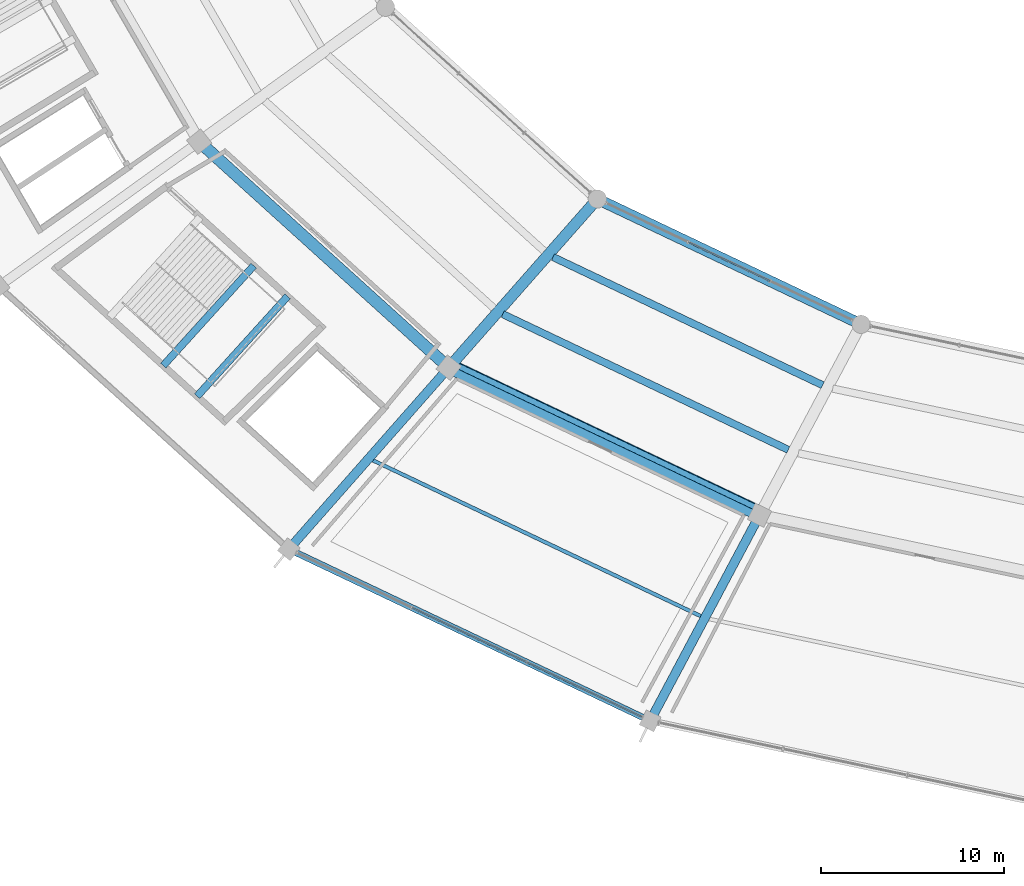
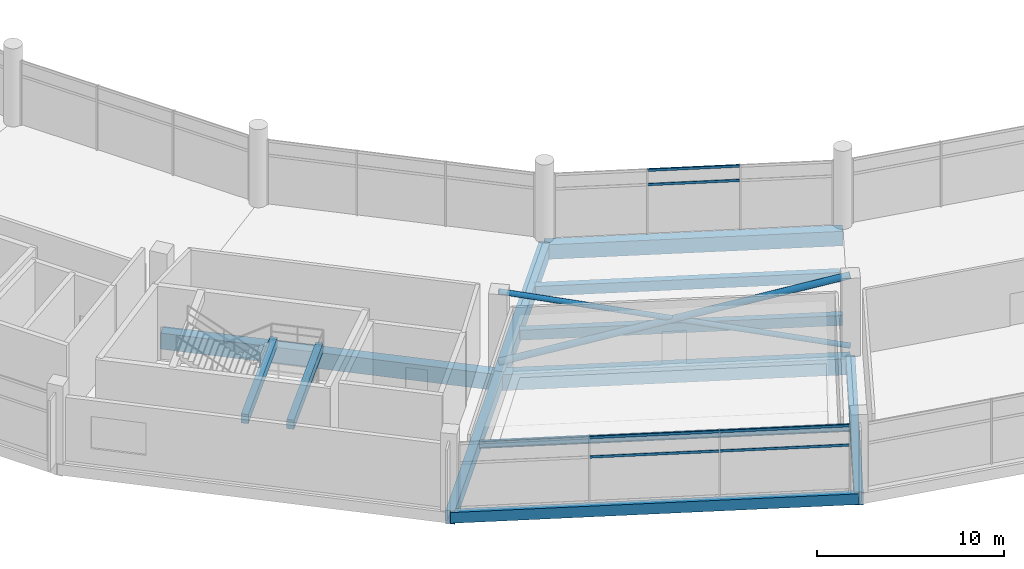
# One storey, part 5 of 184: 12 beams, 8 members, 2 elements without a shape of their own.
"""IFC4 building model written with IfcOpenShell, lengths in metres."""

from ifc_helpers import new_model, si_unit, direction, frame, origin, origin_2d, place, context, subcontext, project, spatial, rectangle, hollow_rectangle, hollow_circle, i_section, extrude, material, layer, layer_set, material_profile, profile_set, type_object, element, aggregate, save


model = new_model("IFC4")

# Units and contexts
model_context = context("Model", 3, precision=1e-05, world=origin(), true_north=direction((0.0, 1.0)))
body_context = subcontext(model_context, "Body", "Model", "MODEL_VIEW")
ifc_project = project(units=[si_unit("LENGTHUNIT", "METRE"), si_unit("AREAUNIT", "SQUARE_METRE"), si_unit("VOLUMEUNIT", "CUBIC_METRE"), si_unit("PLANEANGLEUNIT", "RADIAN"), si_unit("MASSUNIT", "GRAM", prefix="KILO")], contexts=[model_context])

# Site, building, storey
site_placement = place(None, origin())
site = spatial("IfcSite", under=ifc_project, at=site_placement, CompositionType="ELEMENT")
building_placement = place(site_placement, origin())
building = spatial("IfcBuilding", under=site, at=building_placement, Name="Kazemori Nagisa Stadium", CompositionType="ELEMENT")
storey_placement = place(building_placement, frame((0.0, 0.0, 10.5400390625)))
storey = spatial("IfcBuildingStorey", under=building, at=storey_placement, Name="L02", CompositionType="ELEMENT", Elevation=10.5400390625)

# Beams
ifc_material_1 = material(Name="Concrete C40/50 (Fc42)", Category="concrete")
ifc_material_profile_1 = material_profile(ifc_material_1, rectangle(XDim=0.39990234375, YDim=0.60009765625, at=origin_2d()), Name="RC-BM-400x600")
ifc_profile_set_1 = profile_set([ifc_material_profile_1], Name="Concrete C40/50 (Fc42)")
beam_type_1 = type_object("IfcBeamType", Name="Beam_BG-LND400X600", PredefinedType="BEAM", material=ifc_profile_set_1)
beam_1_placement = place(storey_placement, frame((58.481201171875, 46.47412109375, 2.050048828125), z_axis=(-0.67111151489, -0.741356415351, 0.0), x_axis=(0.741356415351, -0.67111151489, 0.0)))
element("IfcBeam", 1, at=beam_1_placement, inside=storey, type_object=beam_type_1, Name="Core stair mid-landing girder ST03-L02-1", PredefinedType="BEAM", context=body_context, shape_type="SweptSolid", body=[
    extrude(rectangle(XDim=0.39990234375, YDim=0.60009765625, at=origin_2d()), origin(), (0.0, 0.0, 1.0), 7.385498046875),
])
beam_2_placement = place(storey_placement, frame((60.334716796875, 44.79638671875, 2.050048828125), z_axis=(-0.671113236271, -0.74135485707, 0.0), x_axis=(0.74135485707, -0.671113236271, 0.0)))
element("IfcBeam", 2, at=beam_2_placement, inside=storey, type_object=beam_type_1, Name="Core stair mid-landing girder ST03-L02-2", PredefinedType="BEAM", context=body_context, shape_type="SweptSolid", body=[
    extrude(rectangle(XDim=0.39990234375, YDim=0.60009765625, at=origin_2d()), origin(), (0.0, 0.0, 1.0), 7.385986328125),
])
ifc_material_profile_2 = material_profile(ifc_material_1, rectangle(XDim=0.5, YDim=0.85009765625, at=origin_2d()), Name="RC-BM-500x850")
ifc_profile_set_2 = profile_set([ifc_material_profile_2], Name="Concrete C40/50 (Fc42)")
beam_type_2 = type_object("IfcBeamType", Name="Beam_BG-RC500X850", PredefinedType="BEAM", material=ifc_profile_set_2)
beam_3_placement = place(storey_placement, frame((69.165771484375, 40.88916015625, -0.68505859375), z_axis=(-0.661019680997, -0.750368563664, 0.0), x_axis=(0.750368563664, -0.661019680997, 0.0)))
element("IfcBeam", 3, at=beam_3_placement, inside=storey, type_object=beam_type_2, Name="Radial girder BG-RC500X850 L02 R2-R3-19", PredefinedType="BEAM", context=body_context, shape_type="SweptSolid", body=[
    extrude(rectangle(XDim=0.5, YDim=0.85009765625, at=origin_2d()), origin(), (0.0, 0.0, 1.0), 13.2578125),
])
beam_4_placement = place(storey_placement, frame((86.18798828125, 32.80078125, -0.68505859375), z_axis=(-0.469648511848, -0.882853484628, 0.0), x_axis=(0.882853484628, -0.469648511848, 0.0)))
element("IfcBeam", 4, at=beam_4_placement, inside=storey, type_object=beam_type_2, Name="Radial girder BG-RC500X850 L02 R2-R3-20", PredefinedType="BEAM", context=body_context, shape_type="SweptSolid", body=[
    extrude(rectangle(XDim=0.5, YDim=0.85009765625, at=origin_2d()), origin(), (0.0, 0.0, 1.0), 12.760009765625),
])
ifc_material_profile_3 = material_profile(ifc_material_1, rectangle(XDim=0.60009765625, YDim=0.949951171875, at=origin_2d()), Name="RC-BM-600x950")
ifc_profile_set_3 = profile_set([ifc_material_profile_3], Name="Concrete C40/50 (Fc42)")
beam_type_3 = type_object("IfcBeamType", Name="Beam_BG-RC600X950", PredefinedType="BEAM", material=ifc_profile_set_3)
beam_5_placement = place(storey_placement, frame((77.303466796875, 50.126953125, -0.735107421875), z_axis=(0.903211989129, -0.429194714196, 0.0), x_axis=(0.429194714196, 0.903211989129, 0.0)))
element("IfcBeam", 5, at=beam_5_placement, inside=storey, type_object=beam_type_3, Name="Ring girder BG-RC600X950 L02 R1-19", PredefinedType="BEAM", context=body_context, shape_type="SweptSolid", body=[
    extrude(rectangle(XDim=0.60009765625, YDim=0.949951171875, at=origin_2d()), origin(), (0.0, 0.0, 1.0), 15.997314453125),
])
beam_6_placement = place(storey_placement, frame((77.303466796875, 50.126953125, -0.735107421875), z_axis=(-0.66101406015, -0.75037351518, 0.0), x_axis=(0.75037351518, -0.66101406015, 0.0)))
element("IfcBeam", 6, at=beam_6_placement, inside=storey, type_object=beam_type_3, Name="Radial girder BG-RC600X950 L02 R1-R2-19", PredefinedType="BEAM", context=body_context, shape_type="SweptSolid", body=[
    extrude(rectangle(XDim=0.60009765625, YDim=0.949951171875, at=origin_2d()), origin(), (0.0, 0.0, 1.0), 12.31103515625),
])
ifc_material_profile_4 = material_profile(ifc_material_1, rectangle(XDim=0.64990234375, YDim=1.050048828125, at=origin_2d()), Name="RC-BM-650x1050")
ifc_profile_set_4 = profile_set([ifc_material_profile_4], Name="Concrete C40/50 (Fc42)")
beam_type_4 = type_object("IfcBeamType", Name="Beam_BG-RC650X1050", PredefinedType="BEAM", material=ifc_profile_set_4)
beam_7_placement = place(storey_placement, frame((55.493896484375, 53.265869140625, -0.78515625), z_axis=(0.741349142139, -0.671119549298, 0.0), x_axis=(0.671119549298, 0.741349142139, 0.0)))
element("IfcBeam", 7, at=beam_7_placement, inside=storey, type_object=beam_type_4, Name="Ring girder BG-RC650X1050 L02 R2-18", PredefinedType="BEAM", context=body_context, shape_type="SweptSolid", body=[
    extrude(rectangle(XDim=0.64990234375, YDim=1.050048828125, at=origin_2d()), origin(), (0.0, 0.0, 1.0), 18.44189453125),
])
beam_8_placement = place(storey_placement, frame((69.165771484375, 40.88916015625, -0.78515625), z_axis=(0.90321938295, -0.42917915404, 0.0), x_axis=(0.42917915404, 0.90321938295, 0.0)))
element("IfcBeam", 8, at=beam_8_placement, inside=storey, type_object=beam_type_4, Name="Ring girder BG-RC650X1050 L02 R2-19", PredefinedType="BEAM", context=body_context, shape_type="SweptSolid", body=[
    extrude(rectangle(XDim=0.64990234375, YDim=1.050048828125, at=origin_2d()), origin(), (0.0, 0.0, 1.0), 18.84619140625),
])
ifc_material_2 = material(Name="Steel SN490B", Category="steel")
ifc_material_profile_5 = material_profile(ifc_material_2, i_section(OverallWidth=0.199951171875, OverallDepth=0.449951171875, WebThickness=0.009033203125, FlangeThickness=0.013916015625, FilletRadius=0.012939453125, at=origin_2d()), Name="H-450x200x9x14")
ifc_profile_set_5 = profile_set([ifc_material_profile_5], Name="Steel SN490B")
beam_type_5 = type_object("IfcBeamType", Name="Beam_BJ-H450", PredefinedType="JOIST", material=ifc_profile_set_5)
beam_9_placement = place(storey_placement, frame((65.005126953125, 35.81005859375, -0.485107421875), z_axis=(0.903215058486, -0.429188254876, 0.0), x_axis=(0.429188254876, 0.903215058486, 0.0)))
element("IfcBeam", 9, at=beam_9_placement, inside=storey, type_object=beam_type_5, Name="Outer bay joist BJ-H450 L02 B19", PredefinedType="JOIST", context=body_context, shape_type="SweptSolid", body=[
    extrude(i_section(OverallWidth=0.199951171875, OverallDepth=0.449951171875, WebThickness=0.009033203125, FlangeThickness=0.013916015625, FilletRadius=0.012939453125, at=origin_2d()), origin(), (0.0, 0.0, 1.0), 19.89013671875),
])
ifc_material_profile_6 = material_profile(ifc_material_1, rectangle(XDim=0.39990234375, YDim=0.64990234375, at=origin_2d()), Name="RC-BM-400x650")
ifc_profile_set_6 = profile_set([ifc_material_profile_6], Name="Concrete C40/50 (Fc42)")
beam_type_6 = type_object("IfcBeamType", Name="Beam_BJ-RC400X650", PredefinedType="JOIST", material=ifc_profile_set_6)
beam_10_placement = place(storey_placement, frame((74.878173828125, 46.94482421875, -0.5849609375), z_axis=(0.903215717065, -0.429186868912, 0.0), x_axis=(0.429186868912, 0.903215717065, 0.0)))
element("IfcBeam", 10, at=beam_10_placement, inside=storey, type_object=beam_type_6, Name="Concourse joist BJ-RC400X650 L02 B19-1", PredefinedType="JOIST", context=body_context, shape_type="SweptSolid", body=[
    extrude(rectangle(XDim=0.39990234375, YDim=0.64990234375, at=origin_2d()), origin(), (0.0, 0.0, 1.0), 16.349609375),
])
beam_11_placement = place(storey_placement, frame((72.1240234375, 43.818115234375, -0.5849609375), z_axis=(0.903215468459, -0.429187392099, 0.0), x_axis=(0.429187392099, 0.903215468459, 0.0)))
element("IfcBeam", 11, at=beam_11_placement, inside=storey, type_object=beam_type_6, Name="Concourse joist BJ-RC400X650 L02 B19-2", PredefinedType="JOIST", context=body_context, shape_type="SweptSolid", body=[
    extrude(rectangle(XDim=0.39990234375, YDim=0.64990234375, at=origin_2d()), origin(), (0.0, 0.0, 1.0), 17.31396484375),
])
ifc_material_profile_7 = material_profile(ifc_material_1, rectangle(XDim=0.35009765625, YDim=0.699951171875, at=origin_2d()), Name="RC-SP-350x700")
ifc_profile_set_7 = profile_set([ifc_material_profile_7], Name="Concrete C40/50 (Fc42)")
beam_type_7 = type_object("IfcBeamType", Name="Beam_BS-RC350X700", PredefinedType="SPANDREL", material=ifc_profile_set_7)
beam_12_placement = place(storey_placement, frame((60.402099609375, 30.94091796875, -0.610107421875), z_axis=(0.903215644095, -0.429187022475, 0.0), x_axis=(0.429187022475, 0.903215644095, 0.0)))
element("IfcBeam", 12, at=beam_12_placement, inside=storey, type_object=beam_type_7, Name="Ring girder BS-RC350X700 L02 R3-19", PredefinedType="SPANDREL", context=body_context, shape_type="SweptSolid", body=[
    extrude(rectangle(XDim=0.35009765625, YDim=0.699951171875, at=origin_2d()), origin(), (0.0, 0.0, 1.0), 21.9140625),
])

# Members
ifc_material_3 = material(Name="Steel STK490", Category="steel")
ifc_material_profile_8 = material_profile(ifc_material_3, hollow_circle(Radius=0.1591796875, WallThickness=0.01025390625, at=origin_2d()), Name="CHS-318.5x10.3")
ifc_profile_set_8 = profile_set([ifc_material_profile_8], Name="Steel STK490")
member_type_1 = type_object("IfcMemberType", Name="Member_TB-CHS318", PredefinedType="BRACE", material=ifc_profile_set_8)
member_1_placement = place(storey_placement, frame((86.316650390625, 33.07177734375, 0.14990234375), z_axis=(-0.877458759714, 0.416938581377, 0.237125166022), x_axis=(-0.42917915404, -0.90321938295, 0.0)))
element("IfcMember", 13, at=member_1_placement, inside=storey, type_object=member_type_1, Name="Seismic brace TB-CHS318 L02 B19-B", PredefinedType="BRACE", context=body_context, shape_type="SweptSolid", body=[
    extrude(hollow_circle(Radius=0.1591796875, WallThickness=0.01025390625, at=origin_2d()), origin(), (0.0, 0.0, 1.0), 19.3994140625),
])
ifc_material_profile_9 = material_profile(ifc_material_3, hollow_circle(Radius=0.203125, WallThickness=0.014404296875, at=origin_2d()), Name="CHS-406.4x14.3")
ifc_profile_set_9 = profile_set([ifc_material_profile_9], Name="Steel STK490")
member_type_2 = type_object("IfcMemberType", Name="Member_TB-CHS406", PredefinedType="BRACE", material=ifc_profile_set_9)
member_2_placement = place(storey_placement, frame((69.29443359375, 41.16015625, 0.14990234375), z_axis=(0.877458759714, -0.416938581377, 0.237125166022), x_axis=(0.42917915404, 0.90321938295, 0.0)))
element("IfcMember", 14, at=member_2_placement, inside=storey, type_object=member_type_2, Name="Seismic brace TB-CHS355 L02 B19-A", PredefinedType="BRACE", context=body_context, shape_type="SweptSolid", body=[
    extrude(hollow_circle(Radius=0.203125, WallThickness=0.014404296875, at=origin_2d()), origin(), (0.0, 0.0, 1.0), 19.3994140625),
])

# Curtain wall, members
ifc_material_4 = material(Name="Anodised aluminium 6063-T5", Category="aluminium")
ifc_layer_1 = layer(ifc_material_4, 0.2099609375, Name="Anodised aluminium 6063-T5", Category="aluminium")
ifc_layer_set_1 = layer_set([ifc_layer_1], Name="Anodised aluminium 6063-T5")
curtain_wall_type_1 = type_object("IfcCurtainWallType", Name="CW_L02R3_105", PredefinedType="USERDEFINED", material=ifc_layer_set_1)
curtain_wall_1_placement = place(storey_placement, origin())
curtain_wall_1 = element("IfcCurtainWall", 15, at=curtain_wall_1_placement, inside=storey, type_object=curtain_wall_type_1, Name="Unitised curtain wall CW-L02R3-105 L02", ObjectType="UNITISED CURTAIN WALL", PredefinedType="USERDEFINED")
ifc_material_5 = material(Name="Aluminium 6063-T5 anodised", Category="aluminium")
ifc_material_profile_10 = material_profile(ifc_material_5, hollow_rectangle(XDim=0.080078125, YDim=0.159912109375, WallThickness=0.00390625, at=origin_2d()), Name="ALU-TRAN-80x160x4")
ifc_profile_set_10 = profile_set([ifc_material_profile_10], Name="Aluminium 6063-T5 anodised")
member_type_3 = type_object("IfcMemberType", Name="Transom_T02", PredefinedType="USERDEFINED", material=ifc_profile_set_10)
member_3_placement = place(storey_placement, frame((67.160888671875, 27.7294921875, 2.84912109375), z_axis=(0.903207701329, -0.429203737473, 0.0), x_axis=(0.429203737473, 0.903207701329, 0.0)))
member_3 = element("IfcMember", 16, at=member_3_placement, type_object=member_type_3, Name="Curtain wall transom CW-L02R3-105-T2-mid", ObjectType="TRANSOM", PredefinedType="USERDEFINED", context=body_context, shape_type="SweptSolid", body=[
    extrude(hollow_rectangle(XDim=0.080078125, YDim=0.159912109375, WallThickness=0.00390625, at=origin_2d()), origin(), (0.0, 0.0, 1.0), 6.9482421875),
])
member_4_placement = place(storey_placement, frame((67.160888671875, 27.7294921875, 4.119873046875), z_axis=(0.903207701329, -0.429203737473, 0.0), x_axis=(0.429203737473, 0.903207701329, 0.0)))
member_4 = element("IfcMember", 17, at=member_4_placement, type_object=member_type_3, Name="Curtain wall transom CW-L02R3-105-T2-head", ObjectType="TRANSOM", PredefinedType="USERDEFINED", context=body_context, shape_type="SweptSolid", body=[
    extrude(hollow_rectangle(XDim=0.080078125, YDim=0.159912109375, WallThickness=0.00390625, at=origin_2d()), origin(), (0.0, 0.0, 1.0), 6.9482421875),
])
member_5_placement = place(storey_placement, frame((73.47265625, 24.730224609375, 2.84912109375), z_axis=(0.903221322461, -0.429175072264, 0.0), x_axis=(0.429175072264, 0.903221322461, 0.0)))
member_5 = element("IfcMember", 18, at=member_5_placement, type_object=member_type_3, Name="Curtain wall transom CW-L02R3-105-T3-mid", ObjectType="TRANSOM", PredefinedType="USERDEFINED", context=body_context, shape_type="SweptSolid", body=[
    extrude(hollow_rectangle(XDim=0.080078125, YDim=0.159912109375, WallThickness=0.00390625, at=origin_2d()), origin(), (0.0, 0.0, 1.0), 6.947998046875),
])
member_6_placement = place(storey_placement, frame((73.47265625, 24.730224609375, 4.119873046875), z_axis=(0.903221322461, -0.429175072264, 0.0), x_axis=(0.429175072264, 0.903221322461, 0.0)))
member_6 = element("IfcMember", 19, at=member_6_placement, type_object=member_type_3, Name="Curtain wall transom CW-L02R3-105-T3-head", ObjectType="TRANSOM", PredefinedType="USERDEFINED", context=body_context, shape_type="SweptSolid", body=[
    extrude(hollow_rectangle(XDim=0.080078125, YDim=0.159912109375, WallThickness=0.00390625, at=origin_2d()), origin(), (0.0, 0.0, 1.0), 6.947998046875),
])
aggregate(curtain_wall_1, [member_3, member_4, member_5, member_6])

ifc_layer_2 = layer(ifc_material_4, 0.2099609375, Name="Anodised aluminium 6063-T5", Category="aluminium")
ifc_layer_set_2 = layer_set([ifc_layer_2], Name="Anodised aluminium 6063-T5")
curtain_wall_type_2 = type_object("IfcCurtainWallType", Name="CW_L02B_75", PredefinedType="USERDEFINED", material=ifc_layer_set_2)
curtain_wall_2_placement = place(storey_placement, origin())
curtain_wall_2 = element("IfcCurtainWall", 20, at=curtain_wall_2_placement, inside=storey, type_object=curtain_wall_type_2, Name="Unitised curtain wall CW-L02B-75 L02", ObjectType="UNITISED CURTAIN WALL", PredefinedType="USERDEFINED")
member_7_placement = place(storey_placement, frame((82.299072265625, 47.753173828125, 3.184326171875), z_axis=(0.903210397994, -0.429198062618, 0.0), x_axis=(0.429198062618, 0.903210397994, 0.0)))
member_7 = element("IfcMember", 21, at=member_7_placement, type_object=member_type_3, Name="Curtain wall transom CW-L02B-75-T2-mid", ObjectType="TRANSOM", PredefinedType="USERDEFINED", context=body_context, shape_type="SweptSolid", body=[
    extrude(hollow_rectangle(XDim=0.080078125, YDim=0.159912109375, WallThickness=0.00390625, at=origin_2d()), origin(), (0.0, 0.0, 1.0), 4.935791015625),
])
member_8_placement = place(storey_placement, frame((82.299072265625, 47.753173828125, 4.119873046875), z_axis=(0.903210397994, -0.429198062618, 0.0), x_axis=(0.429198062618, 0.903210397994, 0.0)))
member_8 = element("IfcMember", 22, at=member_8_placement, type_object=member_type_3, Name="Curtain wall transom CW-L02B-75-T2-head", ObjectType="TRANSOM", PredefinedType="USERDEFINED", context=body_context, shape_type="SweptSolid", body=[
    extrude(hollow_rectangle(XDim=0.080078125, YDim=0.159912109375, WallThickness=0.00390625, at=origin_2d()), origin(), (0.0, 0.0, 1.0), 4.935791015625),
])
aggregate(curtain_wall_2, [member_7, member_8])

save(model, "model.ifc")
